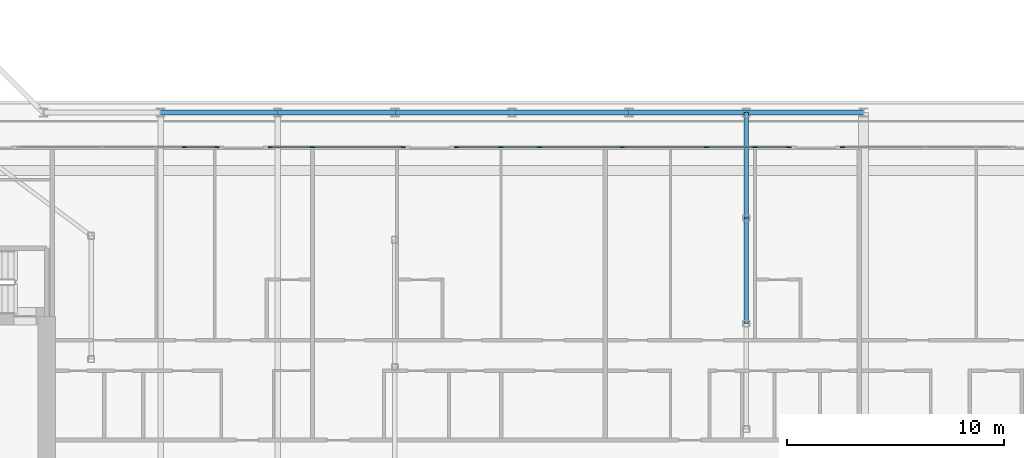
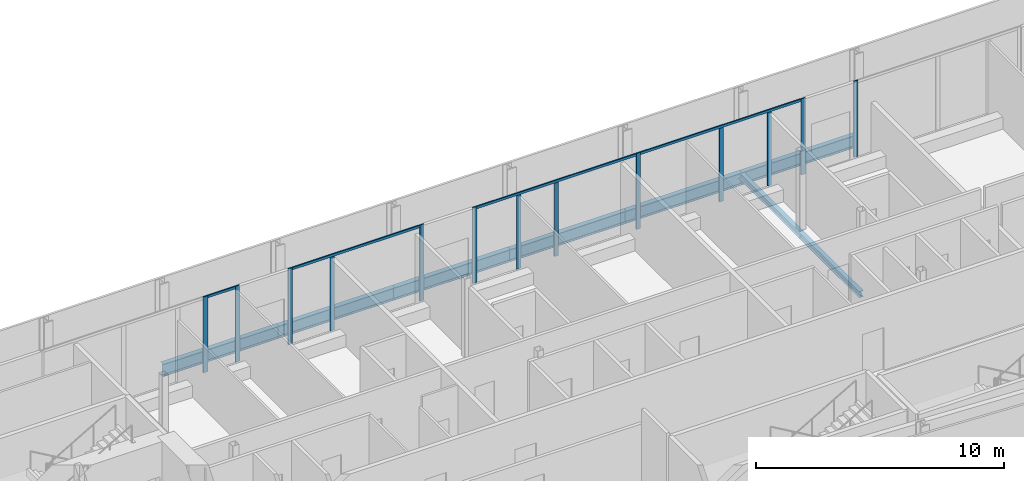
# One storey, part 8 of 28: 17 members, 8 beams, 6 elements without a shape of their own.
"""IFC4 building model written with IfcOpenShell, lengths in metres."""

from ifc_helpers import new_model, si_unit, direction, frame, origin, origin_2d, place, context, subcontext, project, spatial, rectangle, i_section, extrude, material, layer, layer_set, material_profile, profile_set, type_object, element, aggregate, save


model = new_model("IFC4")

# Units and contexts
model_context = context("Model", 3, precision=1e-05, world=origin(), true_north=direction((0.0, 1.0)))
body_context = subcontext(model_context, "Body", "Model", "MODEL_VIEW")
ifc_project = project(units=[si_unit("LENGTHUNIT", "METRE"), si_unit("AREAUNIT", "SQUARE_METRE"), si_unit("VOLUMEUNIT", "CUBIC_METRE"), si_unit("PLANEANGLEUNIT", "RADIAN"), si_unit("MASSUNIT", "GRAM", prefix="KILO")], contexts=[model_context])

# Site, building, storey
site_placement = place(None, origin())
site = spatial("IfcSite", under=ifc_project, at=site_placement, CompositionType="ELEMENT")
building_placement = place(site_placement, origin())
building = spatial("IfcBuilding", under=site, at=building_placement, Name="Kheshtan School and Residences Tower", CompositionType="ELEMENT")
storey_placement = place(building_placement, frame((0.0, 0.0, 187.699951171875)))
storey = spatial("IfcBuildingStorey", under=building, at=storey_placement, Name="L44", CompositionType="ELEMENT", Elevation=187.699951171875)

# Beams
ifc_material_1 = material(Name="Steel ASTM A992 Grade 50", Category="steel")
ifc_material_profile_1 = material_profile(ifc_material_1, i_section(OverallWidth=0.202880859375, OverallDepth=0.302978515625, WebThickness=0.007568359375, FlangeThickness=0.01318359375, FilletRadius=0.009033203125, at=origin_2d()), Name="W310x60")
ifc_profile_set_1 = profile_set([ifc_material_profile_1], Name="Steel ASTM A992 Grade 50")
beam_type_1 = type_object("IfcBeamType", Name="Beam FB1 W310x60 ASTM A992 Grade 50", PredefinedType="BEAM", material=ifc_profile_set_1)
for number, where, z_axis, x_axis, name in (
    (1, (85.39990234375, 45.60009765625, -0.301513671875), (0.0, -1.0, 0.0), (1.0, 0.0, 0.0), "Floor beam C067"),
    (2, (85.39990234375, 40.735107421875, -0.301513671875), (0.0, -1.0, 0.0), (1.0, 0.0, 0.0), "Floor beam IC"),
):
    element("IfcBeam", number, at=place(storey_placement, frame(where, z_axis=z_axis, x_axis=x_axis)), inside=storey, type_object=beam_type_1, Name=name, PredefinedType="BEAM", context=body_context, shape_type="SweptSolid", body=[
        extrude(i_section(OverallWidth=0.202880859375, OverallDepth=0.302978515625, WebThickness=0.007568359375, FlangeThickness=0.01318359375, FilletRadius=0.009033203125, at=origin_2d()), origin(), (0.0, 0.0, 1.0), 4.864990234375),
    ])
ifc_material_profile_2 = material_profile(ifc_material_1, i_section(OverallWidth=0.22802734375, OverallDepth=0.60302734375, WebThickness=0.010498046875, FlangeThickness=0.014892578125, FilletRadius=0.013427734375, at=origin_2d()), Name="W610x101")
ifc_profile_set_2 = profile_set([ifc_material_profile_2], Name="Steel ASTM A992 Grade 50")
beam_type_2 = type_object("IfcBeamType", Name="Beam SP2 W610x101 ASTM A992 Grade 50", PredefinedType="BEAM", material=ifc_profile_set_2)
beam_1_placement = place(storey_placement, frame((58.39990234375, 45.60009765625, -0.451416015625), z_axis=(1.0, 0.0, 0.0), x_axis=(0.0, 1.0, 0.0)))
element("IfcBeam", 3, at=beam_1_placement, inside=storey, type_object=beam_type_2, Name="Spandrel beam C062-C063", PredefinedType="BEAM", context=body_context, shape_type="SweptSolid", body=[
    extrude(i_section(OverallWidth=0.22802734375, OverallDepth=0.60302734375, WebThickness=0.010498046875, FlangeThickness=0.014892578125, FilletRadius=0.013427734375, at=origin_2d()), origin(), (0.0, 0.0, 1.0), 5.400146484375),
])
beam_2_placement = place(storey_placement, frame((63.800048828125, 45.60009765625, -0.451416015625), z_axis=(1.0, 0.0, 0.0), x_axis=(0.0, 1.0, 0.0)))
element("IfcBeam", 4, at=beam_2_placement, inside=storey, type_object=beam_type_2, Name="Spandrel beam C063-C064", PredefinedType="BEAM", context=body_context, shape_type="SweptSolid", body=[
    extrude(i_section(OverallWidth=0.22802734375, OverallDepth=0.60302734375, WebThickness=0.010498046875, FlangeThickness=0.014892578125, FilletRadius=0.013427734375, at=origin_2d()), origin(), (0.0, 0.0, 1.0), 5.39990234375),
])
beam_3_placement = place(storey_placement, frame((69.199951171875, 45.60009765625, -0.451416015625), z_axis=(1.0, 0.0, 0.0), x_axis=(0.0, 1.0, 0.0)))
element("IfcBeam", 5, at=beam_3_placement, inside=storey, type_object=beam_type_2, Name="Spandrel beam C064-C065", PredefinedType="BEAM", context=body_context, shape_type="SweptSolid", body=[
    extrude(i_section(OverallWidth=0.22802734375, OverallDepth=0.60302734375, WebThickness=0.010498046875, FlangeThickness=0.014892578125, FilletRadius=0.013427734375, at=origin_2d()), origin(), (0.0, 0.0, 1.0), 5.400146484375),
])
for number, where, z_axis, x_axis, name in (
    (6, (74.60009765625, 45.60009765625, -0.451416015625), (1.0, 0.0, 0.0), (0.0, 1.0, 0.0), "Spandrel beam C065-C066"),
    (7, (80.0, 45.60009765625, -0.451416015625), (1.0, 0.0, 0.0), (0.0, 1.0, 0.0), "Spandrel beam C066-C067"),
):
    element("IfcBeam", number, at=place(storey_placement, frame(where, z_axis=z_axis, x_axis=x_axis)), inside=storey, type_object=beam_type_2, Name=name, PredefinedType="BEAM", context=body_context, shape_type="SweptSolid", body=[
        extrude(i_section(OverallWidth=0.22802734375, OverallDepth=0.60302734375, WebThickness=0.010498046875, FlangeThickness=0.014892578125, FilletRadius=0.013427734375, at=origin_2d()), origin(), (0.0, 0.0, 1.0), 5.39990234375),
    ])
beam_4_placement = place(storey_placement, frame((85.39990234375, 45.60009765625, -0.451416015625), z_axis=(1.0, 0.0, 0.0), x_axis=(0.0, 1.0, 0.0)))
element("IfcBeam", 8, at=beam_4_placement, inside=storey, type_object=beam_type_2, Name="Spandrel beam C067-C068", PredefinedType="BEAM", context=body_context, shape_type="SweptSolid", body=[
    extrude(i_section(OverallWidth=0.22802734375, OverallDepth=0.60302734375, WebThickness=0.010498046875, FlangeThickness=0.014892578125, FilletRadius=0.013427734375, at=origin_2d()), origin(), (0.0, 0.0, 1.0), 5.400146484375),
])

# Curtain wall, member
ifc_material_2 = material(Name="Clear low-e glass in thermally broken aluminium frame", Category="aluminium")
ifc_layer = layer(ifc_material_2, 0.199951171875)
ifc_layer_set = layer_set([ifc_layer], Name="Curtain wall CW-L")
curtain_wall_type = type_object("IfcCurtainWallType", Name="Curtain wall CW-L", PredefinedType="NOTDEFINED", material=ifc_layer_set)
curtain_wall_1_placement = place(storey_placement, origin())
curtain_wall_1 = element("IfcCurtainWall", 9, at=curtain_wall_1_placement, inside=storey, type_object=curtain_wall_type, Name="Curtain wall CWL12k", PredefinedType="NOTDEFINED")
ifc_material_3 = material(Name="Thermally broken aluminium, dark bronze anodised", Category="aluminium")
ifc_material_profile_3 = material_profile(ifc_material_3, rectangle(XDim=0.06005859375, YDim=0.199951171875, at=origin_2d()), Name="CW-L mullion 60x200")
ifc_profile_set_3 = profile_set([ifc_material_profile_3], Name="Thermally broken aluminium, dark bronze anodised")
member_type_1 = type_object("IfcMemberType", Name="CW-L mullion 60x200", PredefinedType="MULLION", material=ifc_profile_set_3)
member_1_placement = place(storey_placement, frame((59.493896484375, 44.0, 0.0), z_axis=(0.0, 0.0, 1.0), x_axis=(0.0, 1.0, 0.0)))
member_1 = element("IfcMember", 10, at=member_1_placement, type_object=member_type_1, Name="CWL12k mullion 4", PredefinedType="MULLION", context=body_context, shape_type="SweptSolid", body=[
    extrude(rectangle(XDim=0.06005859375, YDim=0.199951171875, at=origin_2d()), origin(), (0.0, 0.0, 1.0), 3.75),
])
aggregate(curtain_wall_1, [member_1])

curtain_wall_2_placement = place(storey_placement, origin())
curtain_wall_2 = element("IfcCurtainWall", 11, at=curtain_wall_2_placement, inside=storey, type_object=curtain_wall_type, Name="Curtain wall CWL12w", PredefinedType="NOTDEFINED")
member_2_placement = place(storey_placement, frame((60.993896484375, 44.0, 0.0), z_axis=(0.0, 0.0, 1.0), x_axis=(0.0, 1.0, 0.0)))
member_2 = element("IfcMember", 12, at=member_2_placement, type_object=member_type_1, Name="CWL12w mullion 2", PredefinedType="MULLION", context=body_context, shape_type="SweptSolid", body=[
    extrude(rectangle(XDim=0.06005859375, YDim=0.199951171875, at=origin_2d()), origin(), (0.0, 0.0, 1.0), 3.75),
])

# Curtain wall, members
curtain_wall_3_placement = place(storey_placement, origin())
curtain_wall_3 = element("IfcCurtainWall", 13, at=curtain_wall_3_placement, inside=storey, type_object=curtain_wall_type, Name="Curtain wall CWL1227", PredefinedType="NOTDEFINED")
member_3_placement = place(storey_placement, frame((63.4541015625, 44.0, 0.0), z_axis=(0.0, 0.0, 1.0), x_axis=(0.0, 1.0, 0.0)))
member_3 = element("IfcMember", 14, at=member_3_placement, type_object=member_type_1, Name="CWL1227 mullion 1", PredefinedType="MULLION", context=body_context, shape_type="SweptSolid", body=[
    extrude(rectangle(XDim=0.06005859375, YDim=0.199951171875, at=origin_2d()), origin(), (0.0, 0.0, 1.0), 3.75),
])
member_4_placement = place(storey_placement, frame((65.39990234375, 44.0, 0.0), z_axis=(0.0, 0.0, 1.0), x_axis=(0.0, 1.0, 0.0)))
member_4 = element("IfcMember", 15, at=member_4_placement, type_object=member_type_1, Name="CWL1227 mullion 2", PredefinedType="MULLION", context=body_context, shape_type="SweptSolid", body=[
    extrude(rectangle(XDim=0.06005859375, YDim=0.199951171875, at=origin_2d()), origin(), (0.0, 0.0, 1.0), 3.630126953125),
])
member_5_placement = place(storey_placement, frame((69.587890625, 44.0, 0.0), z_axis=(0.0, 0.0, 1.0), x_axis=(0.0, 1.0, 0.0)))
member_5 = element("IfcMember", 16, at=member_5_placement, type_object=member_type_1, Name="CWL1227 mullion 3", PredefinedType="MULLION", context=body_context, shape_type="SweptSolid", body=[
    extrude(rectangle(XDim=0.06005859375, YDim=0.199951171875, at=origin_2d()), origin(), (0.0, 0.0, 1.0), 3.75),
])

curtain_wall_4_placement = place(storey_placement, origin())
curtain_wall_4 = element("IfcCurtainWall", 17, at=curtain_wall_4_placement, inside=storey, type_object=curtain_wall_type, Name="Curtain wall CWL12k", PredefinedType="NOTDEFINED")
member_6_placement = place(storey_placement, frame((72.048095703125, 44.0, 0.0), z_axis=(0.0, 0.0, 1.0), x_axis=(0.0, 1.0, 0.0)))
member_6 = element("IfcMember", 18, at=member_6_placement, type_object=member_type_1, Name="CWL12k mullion 1", PredefinedType="MULLION", context=body_context, shape_type="SweptSolid", body=[
    extrude(rectangle(XDim=0.06005859375, YDim=0.199951171875, at=origin_2d()), origin(), (0.0, 0.0, 1.0), 3.75),
])
member_7_placement = place(storey_placement, frame((74.10009765625, 44.0, 0.0), z_axis=(0.0, 0.0, 1.0), x_axis=(0.0, 1.0, 0.0)))
member_7 = element("IfcMember", 19, at=member_7_placement, type_object=member_type_1, Name="CWL12k mullion 2", PredefinedType="MULLION", context=body_context, shape_type="SweptSolid", body=[
    extrude(rectangle(XDim=0.06005859375, YDim=0.199951171875, at=origin_2d()), origin(), (0.0, 0.0, 1.0), 3.630126953125),
])
member_8_placement = place(storey_placement, frame((75.864990234375, 44.0, 0.0), z_axis=(0.0, 0.0, 1.0), x_axis=(0.0, 1.0, 0.0)))
member_8 = element("IfcMember", 20, at=member_8_placement, type_object=member_type_1, Name="CWL12k mullion 3", PredefinedType="MULLION", context=body_context, shape_type="SweptSolid", body=[
    extrude(rectangle(XDim=0.06005859375, YDim=0.199951171875, at=origin_2d()), origin(), (0.0, 0.0, 1.0), 3.630126953125),
])
member_9_placement = place(storey_placement, frame((79.681884765625, 44.0, 0.0), z_axis=(0.0, 0.0, 1.0), x_axis=(0.0, 1.0, 0.0)))
member_9 = element("IfcMember", 21, at=member_9_placement, type_object=member_type_1, Name="CWL12k mullion 4", PredefinedType="MULLION", context=body_context, shape_type="SweptSolid", body=[
    extrude(rectangle(XDim=0.06005859375, YDim=0.199951171875, at=origin_2d()), origin(), (0.0, 0.0, 1.0), 3.75),
])

curtain_wall_5_placement = place(storey_placement, origin())
curtain_wall_5 = element("IfcCurtainWall", 22, at=curtain_wall_5_placement, inside=storey, type_object=curtain_wall_type, Name="Curtain wall CWL12k", PredefinedType="NOTDEFINED")
member_10_placement = place(storey_placement, frame((83.55908203125, 44.0, 0.0), z_axis=(0.0, 0.0, 1.0), x_axis=(0.0, 1.0, 0.0)))
member_10 = element("IfcMember", 23, at=member_10_placement, type_object=member_type_1, Name="CWL12k mullion 2", PredefinedType="MULLION", context=body_context, shape_type="SweptSolid", body=[
    extrude(rectangle(XDim=0.06005859375, YDim=0.199951171875, at=origin_2d()), origin(), (0.0, 0.0, 1.0), 3.630126953125),
])
member_11_placement = place(storey_placement, frame((85.800048828125, 44.0, 0.0), z_axis=(0.0, 0.0, 1.0), x_axis=(0.0, 1.0, 0.0)))
member_11 = element("IfcMember", 24, at=member_11_placement, type_object=member_type_1, Name="CWL12k mullion 3", PredefinedType="MULLION", context=body_context, shape_type="SweptSolid", body=[
    extrude(rectangle(XDim=0.06005859375, YDim=0.199951171875, at=origin_2d()), origin(), (0.0, 0.0, 1.0), 3.630126953125),
])
member_12_placement = place(storey_placement, frame((87.3759765625, 44.0, 0.0), z_axis=(0.0, 0.0, 1.0), x_axis=(0.0, 1.0, 0.0)))
member_12 = element("IfcMember", 25, at=member_12_placement, type_object=member_type_1, Name="CWL12k mullion 4", PredefinedType="MULLION", context=body_context, shape_type="SweptSolid", body=[
    extrude(rectangle(XDim=0.06005859375, YDim=0.199951171875, at=origin_2d()), origin(), (0.0, 0.0, 1.0), 3.75),
])

# Curtain wall, member
curtain_wall_6_placement = place(storey_placement, origin())
curtain_wall_6 = element("IfcCurtainWall", 26, at=curtain_wall_6_placement, inside=storey, type_object=curtain_wall_type, Name="Curtain wall CWL12k", PredefinedType="NOTDEFINED")
member_13_placement = place(storey_placement, frame((89.8359375, 44.0, 0.0), z_axis=(0.0, 0.0, 1.0), x_axis=(0.0, 1.0, 0.0)))
member_13 = element("IfcMember", 27, at=member_13_placement, type_object=member_type_1, Name="CWL12k mullion 1", PredefinedType="MULLION", context=body_context, shape_type="SweptSolid", body=[
    extrude(rectangle(XDim=0.06005859375, YDim=0.199951171875, at=origin_2d()), origin(), (0.0, 0.0, 1.0), 3.75),
])
aggregate(curtain_wall_6, [member_13])

# Member
ifc_material_profile_4 = material_profile(ifc_material_3, rectangle(XDim=0.06005859375, YDim=0.1201171875, at=origin_2d()), Name="CW-L transom 60x120")
ifc_profile_set_4 = profile_set([ifc_material_profile_4], Name="Thermally broken aluminium, dark bronze anodised")
member_type_2 = type_object("IfcMemberType", Name="CW-L transom 60x120", PredefinedType="USERDEFINED", material=ifc_profile_set_4)
member_14_placement = place(storey_placement, frame((59.52392578125, 44.0, 3.68994140625), z_axis=(1.0, 0.0, 0.0), x_axis=(0.0, 1.0, 0.0)))
member_14 = element("IfcMember", 28, at=member_14_placement, type_object=member_type_2, Name="CWL12w transom 1", ObjectType="TRANSOM", PredefinedType="USERDEFINED", context=body_context, shape_type="SweptSolid", body=[
    extrude(rectangle(XDim=0.06005859375, YDim=0.1201171875, at=origin_2d()), origin(), (0.0, 0.0, 1.0), 1.440185546875),
])

aggregate(curtain_wall_2, [member_2, member_14])

member_15_placement = place(storey_placement, frame((63.48388671875, 44.0, 3.68994140625), z_axis=(1.0, 0.0, 0.0), x_axis=(0.0, 1.0, 0.0)))
member_15 = element("IfcMember", 29, at=member_15_placement, type_object=member_type_2, Name="CWL1227 transom 1", ObjectType="TRANSOM", PredefinedType="USERDEFINED", context=body_context, shape_type="SweptSolid", body=[
    extrude(rectangle(XDim=0.06005859375, YDim=0.1201171875, at=origin_2d()), origin(), (0.0, 0.0, 1.0), 6.07421875),
])

aggregate(curtain_wall_3, [member_3, member_4, member_5, member_15])

member_16_placement = place(storey_placement, frame((72.077880859375, 44.0, 3.68994140625), z_axis=(1.0, 0.0, 0.0), x_axis=(0.0, 1.0, 0.0)))
member_16 = element("IfcMember", 30, at=member_16_placement, type_object=member_type_2, Name="CWL12k transom 1", ObjectType="TRANSOM", PredefinedType="USERDEFINED", context=body_context, shape_type="SweptSolid", body=[
    extrude(rectangle(XDim=0.06005859375, YDim=0.1201171875, at=origin_2d()), origin(), (0.0, 0.0, 1.0), 7.57421875),
])

aggregate(curtain_wall_4, [member_6, member_7, member_8, member_9, member_16])

member_17_placement = place(storey_placement, frame((79.7119140625, 44.0, 3.68994140625), z_axis=(1.0, 0.0, 0.0), x_axis=(0.0, 1.0, 0.0)))
member_17 = element("IfcMember", 31, at=member_17_placement, type_object=member_type_2, Name="CWL12k transom 1", ObjectType="TRANSOM", PredefinedType="USERDEFINED", context=body_context, shape_type="SweptSolid", body=[
    extrude(rectangle(XDim=0.06005859375, YDim=0.1201171875, at=origin_2d()), origin(), (0.0, 0.0, 1.0), 7.634033203125),
])

aggregate(curtain_wall_5, [member_10, member_11, member_12, member_17])

save(model, "model.ifc")
